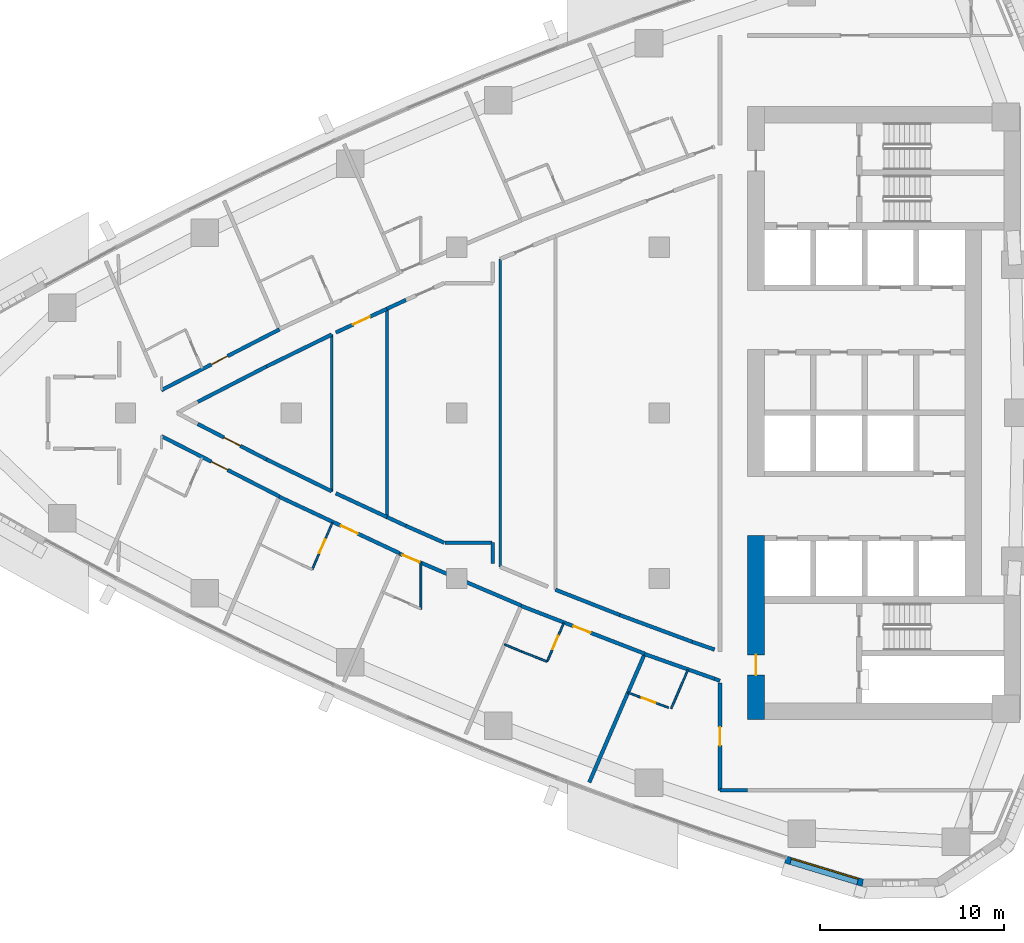
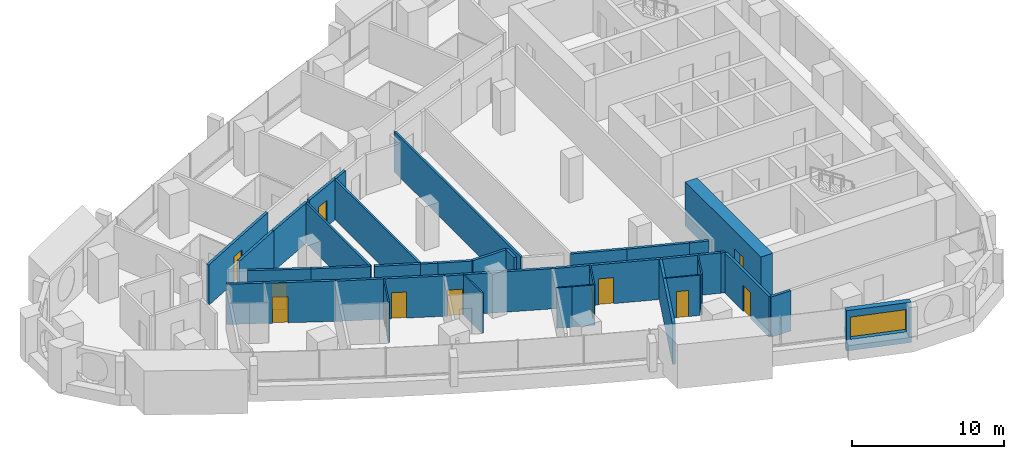
# One storey, part 9 of 17: 36 walls, 12 doors, 1 window, 13 openings.
"""IFC4 building model written with IfcOpenShell, lengths in metres."""

from ifc_helpers import new_model, si_unit, direction, frame, frame_2d, origin, place, context, subcontext, project, spatial, polyline, rectangle, outline, extrude, material, layer, layer_set, type_object, element, fill, save


model = new_model("IFC4")

# Units and contexts
model_context = context("Model", 3, precision=1e-05, world=origin(), true_north=direction((0.0, 1.0)))
body_context = subcontext(model_context, "Body", "Model", "MODEL_VIEW")
ifc_project = project(units=[si_unit("LENGTHUNIT", "METRE"), si_unit("AREAUNIT", "SQUARE_METRE"), si_unit("VOLUMEUNIT", "CUBIC_METRE"), si_unit("PLANEANGLEUNIT", "RADIAN"), si_unit("MASSUNIT", "GRAM", prefix="KILO")], contexts=[model_context])

# Site, building, storey
site_placement = place(None, origin())
site = spatial("IfcSite", under=ifc_project, at=site_placement, CompositionType="ELEMENT")
building_placement = place(site_placement, origin())
building = spatial("IfcBuilding", under=site, at=building_placement, Name="Ostrand Prow Hotel Tower", CompositionType="ELEMENT")
storey_placement = place(building_placement, frame((0.0, 0.0, 144.39990234375)))
storey = spatial("IfcBuildingStorey", under=building, at=storey_placement, Name="L35", CompositionType="ELEMENT", Elevation=144.39990234375)

# Wall, opening, door
ifc_material_1 = material(Name="Concrete C70/85", Category="concrete")
ifc_layer_1 = layer(ifc_material_1, 0.89990234375)
ifc_layer_set_1 = layer_set([ifc_layer_1], Name="Concrete C70/85")
wall_type_1 = type_object("IfcWallType", Name="Core wall 900 C70/85", PredefinedType="SHEAR", material=ifc_layer_set_1)
wall_1_placement = place(storey_placement, frame((50.25, -16.64990234375, 0.0), z_axis=(0.0, 0.0, 1.0), x_axis=(0.0, 1.0, 0.0)))
wall_1 = element("IfcWall", 1, at=wall_1_placement, inside=storey, type_object=wall_type_1, Name="Core wall CW-W-S", PredefinedType="SHEAR", context=body_context, shape_type="SweptSolid", body=[
    extrude(rectangle(XDim=10.0, YDim=0.89990234375, at=frame_2d((5.0, 0.0))), origin(), (0.0, 0.0, 1.0), 3.550048828125),
])
opening_1_placement = place(wall_1_placement, frame((2.39990234375, 0.0, 0.0)))
opening_1 = element("IfcOpeningElement", 2, at=opening_1_placement, cuts=wall_1, Name="Opening FD1", PredefinedType="OPENING", context=body_context, shape_type="SweptSolid", body=[
    extrude(rectangle(XDim=1.10009765625, YDim=2.10009765625, at=frame_2d((0.550048828125, 1.050048828125))), frame((0.0, 0.4599609375, 0.0), z_axis=(0.0, -1.0, 0.0), x_axis=(1.0, 0.0, 0.0)), (0.0, 0.0, 1.0), 0.919921875),
])
ifc_material_2 = material(Name="Steel fire door", Category="steel")
door_type_1 = type_object("IfcDoorType", Name="Fire door 1100 EI120", OperationType="SINGLE_SWING_RIGHT", PredefinedType="DOOR", material=ifc_material_2)
door_1_placement = place(opening_1_placement, origin())
door_1 = element("IfcDoor", 3, at=door_1_placement, inside=storey, type_object=door_type_1, Name="FIRE DOOR", OperationType="SINGLE_SWING_RIGHT", OverallHeight=2.10009765625, OverallWidth=1.10009765625, PredefinedType="DOOR", context=body_context, shape_type="SweptSolid", body=[
    extrude(rectangle(XDim=1.10009765625, YDim=2.10009765625, at=frame_2d((0.550048828125, 1.050048828125))), frame((0.0, 0.02490234375, 0.0), z_axis=(0.0, -1.0, 0.0), x_axis=(1.0, 0.0, 0.0)), (0.0, 0.0, 1.0), 0.050048828125),
])
fill(opening_1, door_1)

ifc_material_3 = material(Name="Plasterboard partition")
ifc_layer_2 = layer(ifc_material_3, 0.10009765625)
ifc_layer_set_2 = layer_set([ifc_layer_2], Name="Plasterboard partition")
wall_type_2 = type_object("IfcWallType", Name="Partition 100 bathroom wall", PredefinedType="PARTITIONING", material=ifc_layer_set_2)
wall_2_placement = place(storey_placement, frame((27.239990234375, -5.959228515625, 0.0), z_axis=(0.0, 0.0, 1.0), x_axis=(-0.396018464604, -0.918242547311, 0.0)))
wall_2 = element("IfcWall", 4, at=wall_2_placement, inside=storey, type_object=wall_type_2, Name="BATHROOM WALL", PredefinedType="PARTITIONING", context=body_context, shape_type="SweptSolid", body=[
    extrude(rectangle(XDim=2.77783203125, YDim=0.10009765625, at=frame_2d((1.388916015625, 0.0))), origin(), (0.0, 0.0, 1.0), 3.25),
])
opening_2_placement = place(wall_2_placement, frame((1.0, 0.0, 0.0)))
opening_2 = element("IfcOpeningElement", 5, at=opening_2_placement, cuts=wall_2, Name="Opening D2", PredefinedType="OPENING", context=body_context, shape_type="SweptSolid", body=[
    extrude(rectangle(XDim=0.800048828125, YDim=2.10009765625, at=frame_2d((0.39990234375, 1.050048828125))), frame((0.0, 0.06005859375, 0.0), z_axis=(0.0, -1.0, 0.0), x_axis=(1.0, 0.0, 0.0)), (0.0, 0.0, 1.0), 0.1201171875),
])
ifc_material_4 = material(Name="Timber door leaf", Category="wood")
door_type_2 = type_object("IfcDoorType", Name="Bathroom door 800", OperationType="SINGLE_SWING_LEFT", PredefinedType="DOOR", material=ifc_material_4)
door_2_placement = place(opening_2_placement, origin())
door_2 = element("IfcDoor", 6, at=door_2_placement, inside=storey, type_object=door_type_2, Name="DOOR", OperationType="SINGLE_SWING_LEFT", OverallHeight=2.10009765625, OverallWidth=0.800048828125, PredefinedType="DOOR", context=body_context, shape_type="SweptSolid", body=[
    extrude(rectangle(XDim=0.800048828125, YDim=2.10009765625, at=frame_2d((0.39990234375, 1.050048828125))), frame((0.0, 0.02490234375, 0.0), z_axis=(0.0, -1.0, 0.0), x_axis=(1.0, 0.0, 0.0)), (0.0, 0.0, 1.0), 0.050048828125),
])
fill(opening_2, door_2)

wall_3_placement = place(storey_placement, frame((39.805908203125, -11.4169921875, 0.0), z_axis=(0.0, 0.0, 1.0), x_axis=(-0.396000751487, -0.918250186399, 0.0)))
wall_3 = element("IfcWall", 7, at=wall_3_placement, inside=storey, type_object=wall_type_2, Name="BATHROOM WALL", PredefinedType="PARTITIONING", context=body_context, shape_type="SweptSolid", body=[
    extrude(rectangle(XDim=2.278076171875, YDim=0.10009765625, at=frame_2d((1.13916015625, 0.0))), origin(), (0.0, 0.0, 1.0), 3.25),
])
opening_3_placement = place(wall_3_placement, frame((0.75, 0.0, 0.0)))
opening_3 = element("IfcOpeningElement", 8, at=opening_3_placement, cuts=wall_3, Name="Opening D2", PredefinedType="OPENING", context=body_context, shape_type="SweptSolid", body=[
    extrude(rectangle(XDim=0.800048828125, YDim=2.10009765625, at=frame_2d((0.39990234375, 1.050048828125))), frame((0.0, 0.06005859375, 0.0), z_axis=(0.0, -1.0, 0.0), x_axis=(1.0, 0.0, 0.0)), (0.0, 0.0, 1.0), 0.1201171875),
])
door_3_placement = place(opening_3_placement, origin())
door_3 = element("IfcDoor", 9, at=door_3_placement, inside=storey, type_object=door_type_2, Name="DOOR", OperationType="SINGLE_SWING_LEFT", OverallHeight=2.10009765625, OverallWidth=0.800048828125, PredefinedType="DOOR", context=body_context, shape_type="SweptSolid", body=[
    extrude(rectangle(XDim=0.800048828125, YDim=2.10009765625, at=frame_2d((0.39990234375, 1.050048828125))), frame((0.0, 0.02490234375, 0.0), z_axis=(0.0, -1.0, 0.0), x_axis=(1.0, 0.0, 0.0)), (0.0, 0.0, 1.0), 0.050048828125),
])
fill(opening_3, door_3)

# Walls
wall_4_placement = place(storey_placement, frame((38.90380859375, -13.5087890625, 0.0), z_axis=(0.0, 0.0, 1.0), x_axis=(-0.930584239012, 0.366077825199, 0.0)))
element("IfcWall", 10, at=wall_4_placement, inside=storey, type_object=wall_type_2, Name="BATHROOM WALL", PredefinedType="PARTITIONING", context=body_context, shape_type="SweptSolid", body=[
    extrude(rectangle(XDim=1.4912109375, YDim=0.10009765625, at=frame_2d((0.74560546875, 0.0))), origin(), (0.0, 0.0, 1.0), 3.25),
])
wall_5_placement = place(storey_placement, frame((37.51611328125, -12.962890625, 0.0), z_axis=(0.0, 0.0, 1.0), x_axis=(-0.923026834192, 0.384735575897, 0.0)))
element("IfcWall", 11, at=wall_5_placement, inside=storey, type_object=wall_type_2, Name="BATHROOM WALL", PredefinedType="PARTITIONING", context=body_context, shape_type="SweptSolid", body=[
    extrude(rectangle(XDim=1.009521484375, YDim=0.10009765625, at=frame_2d((0.5048828125, 0.0))), origin(), (0.0, 0.0, 1.0), 3.25),
])
wall_6_placement = place(storey_placement, frame((46.5478515625, -13.965087890625, 0.0), z_axis=(0.0, 0.0, 1.0), x_axis=(-0.395944391694, -0.918274489837, 0.0)))
element("IfcWall", 12, at=wall_6_placement, inside=storey, type_object=wall_type_2, Name="BATHROOM WALL", PredefinedType="PARTITIONING", context=body_context, shape_type="SweptSolid", body=[
    extrude(rectangle(XDim=2.283203125, YDim=0.10009765625, at=frame_2d((1.1416015625, 0.0))), origin(), (0.0, 0.0, 1.0), 3.25),
])

# Wall, opening, door
wall_7_placement = place(storey_placement, frame((45.497314453125, -16.0107421875, 0.0), z_axis=(0.0, 0.0, 1.0), x_axis=(-0.937739981943, 0.347338057613, 0.0)))
wall_7 = element("IfcWall", 13, at=wall_7_placement, inside=storey, type_object=wall_type_2, Name="BATHROOM WALL", PredefinedType="PARTITIONING", context=body_context, shape_type="SweptSolid", body=[
    extrude(rectangle(XDim=2.348388671875, YDim=0.10009765625, at=frame_2d((1.17431640625, 0.0))), origin(), (0.0, 0.0, 1.0), 3.25),
])
opening_4_placement = place(wall_7_placement, frame((0.75, 0.0, 0.0)))
opening_4 = element("IfcOpeningElement", 14, at=opening_4_placement, cuts=wall_7, Name="Opening D2", PredefinedType="OPENING", context=body_context, shape_type="SweptSolid", body=[
    extrude(rectangle(XDim=0.800048828125, YDim=2.10009765625, at=frame_2d((0.39990234375, 1.050048828125))), frame((0.0, 0.06005859375, 0.0), z_axis=(0.0, -1.0, 0.0), x_axis=(1.0, 0.0, 0.0)), (0.0, 0.0, 1.0), 0.1201171875),
])
door_4_placement = place(opening_4_placement, origin())
door_4 = element("IfcDoor", 15, at=door_4_placement, inside=storey, type_object=door_type_2, Name="DOOR", OperationType="SINGLE_SWING_LEFT", OverallHeight=2.10009765625, OverallWidth=0.800048828125, PredefinedType="DOOR", context=body_context, shape_type="SweptSolid", body=[
    extrude(rectangle(XDim=0.800048828125, YDim=2.10009765625, at=frame_2d((0.39990234375, 1.050048828125))), frame((0.0, 0.02490234375, 0.0), z_axis=(0.0, -1.0, 0.0), x_axis=(1.0, 0.0, 0.0)), (0.0, 0.0, 1.0), 0.050048828125),
])
fill(opening_4, door_4)

# Walls
wall_8_placement = place(storey_placement, frame((32.044921875, -8.13818359375, 0.0), z_axis=(0.0, 0.0, 1.0), x_axis=(0.0, -1.0, 0.0)))
element("IfcWall", 16, at=wall_8_placement, inside=storey, type_object=wall_type_2, Name="BATHROOM WALL", PredefinedType="PARTITIONING", context=body_context, shape_type="SweptSolid", body=[
    extrude(rectangle(XDim=2.52294921875, YDim=0.10009765625, at=frame_2d((1.261474609375, 0.0))), origin(), (0.0, 0.0, 1.0), 3.25),
])
ifc_material_5 = material(Name="Plasterboard partition")
ifc_layer_3 = layer(ifc_material_5, 0.14990234375)
ifc_layer_set_3 = layer_set([ifc_layer_3], Name="Plasterboard partition")
wall_type_3 = type_object("IfcWallType", Name="Partition 150 room partition", PredefinedType="PARTITIONING", material=ifc_layer_set_3)
wall_9_placement = place(storey_placement, frame((27.201904296875, -4.256591796875, 0.0), z_axis=(0.0, 0.0, 1.0), x_axis=(0.0, 1.0, 0.0)))
element("IfcWall", 17, at=wall_9_placement, inside=storey, type_object=wall_type_3, Name="ROOM PARTITION", PredefinedType="PARTITIONING", context=body_context, shape_type="SweptSolid", body=[
    extrude(rectangle(XDim=8.51318359375, YDim=0.14990234375, at=frame_2d((4.256591796875, 0.0))), origin(), (0.0, 0.0, 1.0), 3.25),
])
wall_10_placement = place(storey_placement, frame((30.201904296875, -5.656494140625, 0.0), z_axis=(0.0, 0.0, 1.0), x_axis=(0.0, 1.0, 0.0)))
element("IfcWall", 18, at=wall_10_placement, inside=storey, type_object=wall_type_3, Name="ROOM PARTITION", PredefinedType="PARTITIONING", context=body_context, shape_type="SweptSolid", body=[
    extrude(rectangle(XDim=11.31298828125, YDim=0.14990234375, at=frame_2d((5.656494140625, 0.0))), origin(), (0.0, 0.0, 1.0), 3.25),
])
wall_11_placement = place(storey_placement, frame((36.35302734375, -8.361083984375, 0.0), z_axis=(0.0, 0.0, 1.0), x_axis=(0.0, 1.0, 0.0)))
element("IfcWall", 19, at=wall_11_placement, inside=storey, type_object=wall_type_3, Name="ROOM PARTITION", PredefinedType="PARTITIONING", context=body_context, shape_type="SweptSolid", body=[
    extrude(rectangle(XDim=16.72216796875, YDim=0.14990234375, at=frame_2d((8.361083984375, 0.0))), origin(), (0.0, 0.0, 1.0), 3.25),
])

# Wall, opening, door
ifc_material_6 = material(Name="Plasterboard partition")
ifc_layer_4 = layer(ifc_material_6, 0.199951171875)
ifc_layer_set_4 = layer_set([ifc_layer_4], Name="Plasterboard partition")
wall_type_4 = type_object("IfcWallType", Name="Partition 200 corridor wall", PredefinedType="PARTITIONING", material=ifc_layer_set_4)
wall_12_placement = place(storey_placement, frame((17.949951171875, 1.238037109375, 0.0), z_axis=(0.0, 0.0, 1.0), x_axis=(0.889253598622, 0.457414513694, 0.0)))
wall_12 = element("IfcWall", 20, at=wall_12_placement, inside=storey, type_object=wall_type_4, Name="CORRIDOR WALL", PredefinedType="PARTITIONING", context=body_context, shape_type="SweptSolid", body=[
    extrude(rectangle(XDim=7.216796875, YDim=0.199951171875, at=frame_2d((3.6083984375, 0.0))), origin(), (0.0, 0.0, 1.0), 3.25),
])
opening_5_placement = place(wall_12_placement, frame((3.050048828125, 0.0, 0.0)))
opening_5 = element("IfcOpeningElement", 21, at=opening_5_placement, cuts=wall_12, Name="Opening D1", PredefinedType="OPENING", context=body_context, shape_type="SweptSolid", body=[
    extrude(rectangle(XDim=1.0, YDim=2.10009765625, at=frame_2d((0.5, 1.050048828125))), frame((0.0, 0.10986328125, 0.0), z_axis=(0.0, -1.0, 0.0), x_axis=(1.0, 0.0, 0.0)), (0.0, 0.0, 1.0), 0.219970703125),
])
ifc_material_7 = material(Name="Timber door leaf", Category="wood")
door_type_3 = type_object("IfcDoorType", Name="Guest room door 1000", OperationType="SINGLE_SWING_LEFT", PredefinedType="DOOR", material=ifc_material_7)
door_5_placement = place(opening_5_placement, origin())
door_5 = element("IfcDoor", 22, at=door_5_placement, inside=storey, type_object=door_type_3, Name="DOOR", OperationType="SINGLE_SWING_LEFT", OverallHeight=2.10009765625, OverallWidth=1.0, PredefinedType="DOOR", context=body_context, shape_type="SweptSolid", body=[
    extrude(rectangle(XDim=1.0, YDim=2.10009765625, at=frame_2d((0.5, 1.050048828125))), frame((0.0, 0.02490234375, 0.0), z_axis=(0.0, -1.0, 0.0), x_axis=(1.0, 0.0, 0.0)), (0.0, 0.0, 1.0), 0.050048828125),
])
fill(opening_5, door_5)

wall_13_placement = place(storey_placement, frame((17.949951171875, -1.2607421875, 0.0), z_axis=(0.0, 0.0, 1.0), x_axis=(0.890531681441, -0.45492122873, 0.0)))
wall_13 = element("IfcWall", 23, at=wall_13_placement, inside=storey, type_object=wall_type_4, Name="CORRIDOR WALL", PredefinedType="PARTITIONING", context=body_context, shape_type="SweptSolid", body=[
    extrude(rectangle(XDim=7.206298828125, YDim=0.199951171875, at=frame_2d((3.60302734375, 0.0))), origin(), (0.0, 0.0, 1.0), 3.25),
])
opening_6_placement = place(wall_13_placement, frame((3.050048828125, 0.0, 0.0)))
opening_6 = element("IfcOpeningElement", 24, at=opening_6_placement, cuts=wall_13, Name="Opening D1", PredefinedType="OPENING", context=body_context, shape_type="SweptSolid", body=[
    extrude(rectangle(XDim=1.0, YDim=2.10009765625, at=frame_2d((0.5, 1.050048828125))), frame((0.0, 0.10986328125, 0.0), z_axis=(0.0, -1.0, 0.0), x_axis=(1.0, 0.0, 0.0)), (0.0, 0.0, 1.0), 0.219970703125),
])
door_6_placement = place(opening_6_placement, origin())
door_6 = element("IfcDoor", 25, at=door_6_placement, inside=storey, type_object=door_type_3, Name="DOOR", OperationType="SINGLE_SWING_LEFT", OverallHeight=2.10009765625, OverallWidth=1.0, PredefinedType="DOOR", context=body_context, shape_type="SweptSolid", body=[
    extrude(rectangle(XDim=1.0, YDim=2.10009765625, at=frame_2d((0.5, 1.050048828125))), frame((0.0, 0.02490234375, 0.0), z_axis=(0.0, -1.0, 0.0), x_axis=(1.0, 0.0, 0.0)), (0.0, 0.0, 1.0), 0.050048828125),
])
fill(opening_6, door_6)

wall_14_placement = place(storey_placement, frame((24.359619140625, -4.557373046875, 0.0), z_axis=(0.0, 0.0, 1.0), x_axis=(0.905157912263, -0.425075468439, 0.0)))
wall_14 = element("IfcWall", 26, at=wall_14_placement, inside=storey, type_object=wall_type_4, Name="CORRIDOR WALL", PredefinedType="PARTITIONING", context=body_context, shape_type="SweptSolid", body=[
    extrude(rectangle(XDim=7.203369140625, YDim=0.199951171875, at=frame_2d((3.6015625, 0.0))), origin(), (0.0, 0.0, 1.0), 3.25),
])
opening_7_placement = place(wall_14_placement, frame((3.699951171875, 0.0, 0.0)))
opening_7 = element("IfcOpeningElement", 27, at=opening_7_placement, cuts=wall_14, Name="Opening D1", PredefinedType="OPENING", context=body_context, shape_type="SweptSolid", body=[
    extrude(rectangle(XDim=1.0, YDim=2.10009765625, at=frame_2d((0.5, 1.050048828125))), frame((0.0, 0.10986328125, 0.0), z_axis=(0.0, -1.0, 0.0), x_axis=(1.0, 0.0, 0.0)), (0.0, 0.0, 1.0), 0.219970703125),
])
door_7_placement = place(opening_7_placement, origin())
door_7 = element("IfcDoor", 28, at=door_7_placement, inside=storey, type_object=door_type_3, Name="DOOR", OperationType="SINGLE_SWING_LEFT", OverallHeight=2.10009765625, OverallWidth=1.0, PredefinedType="DOOR", context=body_context, shape_type="SweptSolid", body=[
    extrude(rectangle(XDim=1.0, YDim=2.10009765625, at=frame_2d((0.5, 1.050048828125))), frame((0.0, 0.02490234375, 0.0), z_axis=(0.0, -1.0, 0.0), x_axis=(1.0, 0.0, 0.0)), (0.0, 0.0, 1.0), 0.050048828125),
])
fill(opening_7, door_7)

wall_15_placement = place(storey_placement, frame((30.8720703125, -7.6376953125, 0.0), z_axis=(0.0, 0.0, 1.0), x_axis=(0.919834621271, -0.392306346509, 0.0)))
wall_15 = element("IfcWall", 29, at=wall_15_placement, inside=storey, type_object=wall_type_4, Name="CORRIDOR WALL", PredefinedType="PARTITIONING", context=body_context, shape_type="SweptSolid", body=[
    extrude(rectangle(XDim=7.2001953125, YDim=0.199951171875, at=frame_2d((3.60009765625, 0.0))), origin(), (0.0, 0.0, 1.0), 3.25),
])
opening_8_placement = place(wall_15_placement, frame((0.199951171875, 0.0, 0.0)))
opening_8 = element("IfcOpeningElement", 30, at=opening_8_placement, cuts=wall_15, Name="Opening D1", PredefinedType="OPENING", context=body_context, shape_type="SweptSolid", body=[
    extrude(rectangle(XDim=1.0, YDim=2.10009765625, at=frame_2d((0.5, 1.050048828125))), frame((0.0, 0.10986328125, 0.0), z_axis=(0.0, -1.0, 0.0), x_axis=(1.0, 0.0, 0.0)), (0.0, 0.0, 1.0), 0.219970703125),
])
door_8_placement = place(opening_8_placement, origin())
door_8 = element("IfcDoor", 31, at=door_8_placement, inside=storey, type_object=door_type_3, Name="DOOR", OperationType="SINGLE_SWING_LEFT", OverallHeight=2.10009765625, OverallWidth=1.0, PredefinedType="DOOR", context=body_context, shape_type="SweptSolid", body=[
    extrude(rectangle(XDim=1.0, YDim=2.10009765625, at=frame_2d((0.5, 1.050048828125))), frame((0.0, 0.02490234375, 0.0), z_axis=(0.0, -1.0, 0.0), x_axis=(1.0, 0.0, 0.0)), (0.0, 0.0, 1.0), 0.050048828125),
])
fill(opening_8, door_8)

wall_16_placement = place(storey_placement, frame((37.487060546875, -10.480712890625, 0.0), z_axis=(0.0, 0.0, 1.0), x_axis=(0.932657486666, -0.360763097567, 0.0)))
wall_16 = element("IfcWall", 32, at=wall_16_placement, inside=storey, type_object=wall_type_4, Name="CORRIDOR WALL", PredefinedType="PARTITIONING", context=body_context, shape_type="SweptSolid", body=[
    extrude(rectangle(XDim=7.205078125, YDim=0.199951171875, at=frame_2d((3.6025390625, 0.0))), origin(), (0.0, 0.0, 1.0), 3.25),
])
opening_9_placement = place(wall_16_placement, frame((3.050048828125, 0.0, 0.0)))
opening_9 = element("IfcOpeningElement", 33, at=opening_9_placement, cuts=wall_16, Name="Opening D1", PredefinedType="OPENING", context=body_context, shape_type="SweptSolid", body=[
    extrude(rectangle(XDim=1.0, YDim=2.10009765625, at=frame_2d((0.5, 1.050048828125))), frame((0.0, 0.10986328125, 0.0), z_axis=(0.0, -1.0, 0.0), x_axis=(1.0, 0.0, 0.0)), (0.0, 0.0, 1.0), 0.219970703125),
])
door_9_placement = place(opening_9_placement, origin())
door_9 = element("IfcDoor", 34, at=door_9_placement, inside=storey, type_object=door_type_3, Name="DOOR", OperationType="SINGLE_SWING_LEFT", OverallHeight=2.10009765625, OverallWidth=1.0, PredefinedType="DOOR", context=body_context, shape_type="SweptSolid", body=[
    extrude(rectangle(XDim=1.0, YDim=2.10009765625, at=frame_2d((0.5, 1.050048828125))), frame((0.0, 0.02490234375, 0.0), z_axis=(0.0, -1.0, 0.0), x_axis=(1.0, 0.0, 0.0)), (0.0, 0.0, 1.0), 0.050048828125),
])
fill(opening_9, door_9)

wall_17_placement = place(storey_placement, frame((23.65869140625, -2.52197265625, 0.0), z_axis=(0.0, 0.0, 1.0), x_axis=(-0.889140337289, 0.457634636589, 0.0)))
wall_17 = element("IfcWall", 35, at=wall_17_placement, inside=storey, type_object=wall_type_4, Name="CORRIDOR WALL", PredefinedType="PARTITIONING", context=body_context, shape_type="SweptSolid", body=[
    extrude(rectangle(XDim=4.1953125, YDim=0.199951171875, at=frame_2d((2.09765625, 0.0))), origin(), (0.0, 0.0, 1.0), 3.25),
])
opening_10_placement = place(wall_17_placement, frame((1.59765625, 0.0, 0.0)))
opening_10 = element("IfcOpeningElement", 36, at=opening_10_placement, cuts=wall_17, Name="Opening D1", PredefinedType="OPENING", context=body_context, shape_type="SweptSolid", body=[
    extrude(rectangle(XDim=1.0, YDim=2.10009765625, at=frame_2d((0.5, 1.050048828125))), frame((0.0, 0.10986328125, 0.0), z_axis=(0.0, -1.0, 0.0), x_axis=(1.0, 0.0, 0.0)), (0.0, 0.0, 1.0), 0.219970703125),
])
door_10_placement = place(opening_10_placement, origin())
door_10 = element("IfcDoor", 37, at=door_10_placement, inside=storey, type_object=door_type_3, Name="DOOR", OperationType="SINGLE_SWING_LEFT", OverallHeight=2.10009765625, OverallWidth=1.0, PredefinedType="DOOR", context=body_context, shape_type="SweptSolid", body=[
    extrude(rectangle(XDim=1.0, YDim=2.10009765625, at=frame_2d((0.5, 1.050048828125))), frame((0.0, 0.02490234375, 0.0), z_axis=(0.0, -1.0, 0.0), x_axis=(1.0, 0.0, 0.0)), (0.0, 0.0, 1.0), 0.050048828125),
])
fill(opening_10, door_10)

# Walls
wall_18_placement = place(storey_placement, frame((19.928466796875, 0.60205078125, 0.0), z_axis=(0.0, 0.0, 1.0), x_axis=(0.889140337289, 0.457634636589, 0.0)))
element("IfcWall", 38, at=wall_18_placement, inside=storey, type_object=wall_type_4, Name="CORRIDOR WALL", PredefinedType="PARTITIONING", context=body_context, shape_type="SweptSolid", body=[
    extrude(rectangle(XDim=4.1953125, YDim=0.199951171875, at=frame_2d((2.09765625, 0.0))), origin(), (0.0, 0.0, 1.0), 3.25),
])
for number, where, z_axis, x_axis, name in (
    (39, (23.65869140625, 2.52197265625, 0.0), (0.0, 0.0, 1.0), (0.898146009837, 0.439697333418, 0.0), "CORRIDOR WALL"),
    (40, (27.201904296875, -4.256591796875, 0.0), (0.0, 0.0, 1.0), (-0.898146009837, 0.439697333418, 0.0), "CORRIDOR WALL"),
):
    element("IfcWall", number, at=place(storey_placement, frame(where, z_axis=z_axis, x_axis=x_axis)), inside=storey, type_object=wall_type_4, Name=name, PredefinedType="PARTITIONING", context=body_context, shape_type="SweptSolid", body=[
        extrude(rectangle(XDim=3.945068359375, YDim=0.199951171875, at=frame_2d((1.97265625, 0.0))), origin(), (0.0, 0.0, 1.0), 3.25),
    ])

# Wall, opening, door
wall_19_placement = place(storey_placement, frame((27.4267578125, 4.36669921875, 0.0), z_axis=(0.0, 0.0, 1.0), x_axis=(0.906842391635, 0.42146990015, 0.0)))
wall_19 = element("IfcWall", 41, at=wall_19_placement, inside=storey, type_object=wall_type_4, Name="CORRIDOR WALL", PredefinedType="PARTITIONING", context=body_context, shape_type="SweptSolid", body=[
    extrude(rectangle(XDim=3.060302734375, YDim=0.199951171875, at=frame_2d((1.5302734375, 0.0))), origin(), (0.0, 0.0, 1.0), 3.25),
])
opening_11_placement = place(wall_19_placement, frame((1.030029296875, 0.0, 0.0)))
opening_11 = element("IfcOpeningElement", 42, at=opening_11_placement, cuts=wall_19, Name="Opening D1R", PredefinedType="OPENING", context=body_context, shape_type="SweptSolid", body=[
    extrude(rectangle(XDim=1.0, YDim=2.10009765625, at=frame_2d((0.5, 1.050048828125))), frame((0.0, 0.10986328125, 0.0), z_axis=(0.0, -1.0, 0.0), x_axis=(1.0, 0.0, 0.0)), (0.0, 0.0, 1.0), 0.219970703125),
])
ifc_material_8 = material(Name="Timber door leaf", Category="wood")
door_type_4 = type_object("IfcDoorType", Name="Guest room door 1000 right", OperationType="SINGLE_SWING_RIGHT", PredefinedType="DOOR", material=ifc_material_8)
door_11_placement = place(opening_11_placement, origin())
door_11 = element("IfcDoor", 43, at=door_11_placement, inside=storey, type_object=door_type_4, Name="DOOR", OperationType="SINGLE_SWING_RIGHT", OverallHeight=2.10009765625, OverallWidth=1.0, PredefinedType="DOOR", context=body_context, shape_type="SweptSolid", body=[
    extrude(rectangle(XDim=1.0, YDim=2.10009765625, at=frame_2d((0.5, 1.050048828125))), frame((0.0, 0.02490234375, 0.0), z_axis=(0.0, -1.0, 0.0), x_axis=(1.0, 0.0, 0.0)), (0.0, 0.0, 1.0), 0.050048828125),
])
fill(opening_11, door_11)

# Walls
wall_20_placement = place(storey_placement, frame((30.201904296875, -5.656494140625, 0.0), z_axis=(0.0, 0.0, 1.0), x_axis=(-0.906842391635, 0.42146990015, 0.0)))
element("IfcWall", 44, at=wall_20_placement, inside=storey, type_object=wall_type_4, Name="CORRIDOR WALL", PredefinedType="PARTITIONING", context=body_context, shape_type="SweptSolid", body=[
    extrude(rectangle(XDim=3.060302734375, YDim=0.199951171875, at=frame_2d((1.5302734375, 0.0))), origin(), (0.0, 0.0, 1.0), 3.25),
])
wall_21_placement = place(storey_placement, frame((33.307861328125, -7.050048828125, 0.0), z_axis=(0.0, 0.0, 1.0), x_axis=(-0.915102334452, 0.403221672881, 0.0)))
element("IfcWall", 45, at=wall_21_placement, inside=storey, type_object=wall_type_4, Name="CORRIDOR WALL", PredefinedType="PARTITIONING", context=body_context, shape_type="SweptSolid", body=[
    extrude(rectangle(XDim=2.269287109375, YDim=0.199951171875, at=frame_2d((1.134765625, 0.0))), origin(), (0.0, 0.0, 1.0), 3.25),
])
for number, where, z_axis, x_axis, name in (
    (46, (31.231201171875, -6.135009765625, 0.0), (0.0, 0.0, 1.0), (-0.906797605575, 0.421566249271, 0.0), "CORRIDOR WALL"),
    (47, (30.201904296875, 5.656494140625, 0.0), (0.0, 0.0, 1.0), (0.906797605575, 0.421566249271, 0.0), "CORRIDOR WALL"),
):
    element("IfcWall", number, at=place(storey_placement, frame(where, z_axis=z_axis, x_axis=x_axis)), inside=storey, type_object=wall_type_4, Name=name, PredefinedType="PARTITIONING", context=body_context, shape_type="SweptSolid", body=[
        extrude(rectangle(XDim=1.135009765625, YDim=0.199951171875, at=frame_2d((0.5673828125, 0.0))), origin(), (0.0, 0.0, 1.0), 3.25),
    ])
wall_22_placement = place(storey_placement, frame((46.78125, -12.43408203125, 0.0), z_axis=(0.0, 0.0, 1.0), x_axis=(-0.937732614305, 0.347357948044, 0.0)))
element("IfcWall", 48, at=wall_22_placement, inside=storey, type_object=wall_type_4, Name="CORRIDOR WALL", PredefinedType="PARTITIONING", context=body_context, shape_type="SweptSolid", body=[
    extrude(rectangle(XDim=4.1953125, YDim=0.199951171875, at=frame_2d((2.09765625, 0.0))), origin(), (0.0, 0.0, 1.0), 3.25),
])
wall_23_placement = place(storey_placement, frame((42.84716796875, -10.976806640625, 0.0), z_axis=(0.0, 0.0, 1.0), x_axis=(-0.930564862228, 0.366127077921, 0.0)))
element("IfcWall", 49, at=wall_23_placement, inside=storey, type_object=wall_type_4, Name="CORRIDOR WALL", PredefinedType="PARTITIONING", context=body_context, shape_type="SweptSolid", body=[
    extrude(rectangle(XDim=3.7548828125, YDim=0.199951171875, at=frame_2d((1.87744140625, 0.0))), origin(), (0.0, 0.0, 1.0), 3.25),
])
wall_24_placement = place(storey_placement, frame((44.19921875, -13.098388671875, 0.0), z_axis=(0.0, 0.0, 1.0), x_axis=(0.942658979264, -0.333757470048, 0.0)))
element("IfcWall", 50, at=wall_24_placement, inside=storey, type_object=wall_type_4, Name="CORRIDOR WALL", PredefinedType="PARTITIONING", context=body_context, shape_type="SweptSolid", body=[
    extrude(rectangle(XDim=4.031982421875, YDim=0.199951171875, at=frame_2d((2.01611328125, 0.0))), origin(), (0.0, 0.0, 1.0), 3.25),
])
wall_25_placement = place(storey_placement, frame((48.0, -12.85791015625, 0.0), z_axis=(0.0, 0.0, 1.0), x_axis=(-0.944517215109, 0.328461916152, 0.0)))
element("IfcWall", 51, at=wall_25_placement, inside=storey, type_object=wall_type_4, Name="CORRIDOR WALL", PredefinedType="PARTITIONING", context=body_context, shape_type="SweptSolid", body=[
    extrude(rectangle(XDim=1.290283203125, YDim=0.199951171875, at=frame_2d((0.64501953125, 0.0))), origin(), (0.0, 0.0, 1.0), 3.25),
])
wall_26_placement = place(storey_placement, frame((35.955078125, -8.18994140625, 0.0), z_axis=(0.0, 0.0, 1.0), x_axis=(-0.002773026881, 0.999996155154, 0.0)))
element("IfcWall", 52, at=wall_26_placement, inside=storey, type_object=wall_type_4, Name="CORRIDOR WALL", PredefinedType="PARTITIONING", context=body_context, shape_type="SweptSolid", body=[
    extrude(rectangle(XDim=1.14453125, YDim=0.199951171875, at=frame_2d((0.572265625, 0.0))), origin(), (0.0, 0.0, 1.0), 3.25),
])
wall_27_placement = place(storey_placement, frame((35.911865234375, -7.04541015625, 0.0), z_axis=(0.0, 0.0, 1.0), x_axis=(-0.999999981873, 0.000190403652, 0.0)))
element("IfcWall", 53, at=wall_27_placement, inside=storey, type_object=wall_type_4, Name="CORRIDOR WALL", PredefinedType="PARTITIONING", context=body_context, shape_type="SweptSolid", body=[
    extrude(rectangle(XDim=2.564453125, YDim=0.199951171875, at=frame_2d((1.2822265625, 0.0))), origin(), (0.0, 0.0, 1.0), 3.25),
])
wall_28_placement = place(storey_placement, frame((48.0, -14.444091796875, 0.0), z_axis=(0.0, 0.0, 1.0), x_axis=(0.937345648791, -0.348400824758, 0.0)))
element("IfcWall", 54, at=wall_28_placement, inside=storey, type_object=wall_type_4, Name="CORRIDOR WALL", PredefinedType="PARTITIONING", context=body_context, shape_type="SweptSolid", body=[
    extrude(rectangle(XDim=0.314697265625, YDim=0.199951171875, at=frame_2d((0.1572265625, 0.0))), origin(), (0.0, 0.0, 1.0), 3.25),
])

# Wall, opening, door
wall_29_placement = place(storey_placement, frame((48.294921875, -14.673583984375, 0.0), z_axis=(0.0, 0.0, 1.0), x_axis=(4.1895345e-05, -0.999999999122, 0.0)))
wall_29 = element("IfcWall", 55, at=wall_29_placement, inside=storey, type_object=wall_type_4, Name="CORRIDOR WALL", PredefinedType="PARTITIONING", context=body_context, shape_type="SweptSolid", body=[
    extrude(rectangle(XDim=5.827392578125, YDim=0.199951171875, at=frame_2d((2.91357421875, 0.0))), origin(), (0.0, 0.0, 1.0), 3.25),
])
opening_12_placement = place(wall_29_placement, frame((2.39990234375, 0.0, 0.0)))
opening_12 = element("IfcOpeningElement", 56, at=opening_12_placement, cuts=wall_29, Name="Opening D1R", PredefinedType="OPENING", context=body_context, shape_type="SweptSolid", body=[
    extrude(rectangle(XDim=1.0, YDim=2.10009765625, at=frame_2d((0.5, 1.050048828125))), frame((0.0, 0.10986328125, 0.0), z_axis=(0.0, -1.0, 0.0), x_axis=(1.0, 0.0, 0.0)), (0.0, 0.0, 1.0), 0.219970703125),
])
door_12_placement = place(opening_12_placement, origin())
door_12 = element("IfcDoor", 57, at=door_12_placement, inside=storey, type_object=door_type_4, Name="DOOR", OperationType="SINGLE_SWING_RIGHT", OverallHeight=2.10009765625, OverallWidth=1.0, PredefinedType="DOOR", context=body_context, shape_type="SweptSolid", body=[
    extrude(rectangle(XDim=1.0, YDim=2.10009765625, at=frame_2d((0.5, 1.050048828125))), frame((0.0, 0.02490234375, 0.0), z_axis=(0.0, -1.0, 0.0), x_axis=(1.0, 0.0, 0.0)), (0.0, 0.0, 1.0), 0.050048828125),
])
fill(opening_12, door_12)

# Walls
wall_30_placement = place(storey_placement, frame((48.295166015625, -20.5009765625, 0.0), z_axis=(0.0, 0.0, 1.0), x_axis=(0.999996631143, -0.002595708322, 0.0)))
element("IfcWall", 58, at=wall_30_placement, inside=storey, type_object=wall_type_4, Name="CORRIDOR WALL", PredefinedType="PARTITIONING", context=body_context, shape_type="SweptSolid", body=[
    extrude(rectangle(XDim=1.5048828125, YDim=0.199951171875, at=frame_2d((0.75244140625, 0.0))), origin(), (0.0, 0.0, 1.0), 3.25),
])
ifc_material_9 = material(Name="Plasterboard partition")
ifc_layer_5 = layer(ifc_material_9, 0.199951171875)
ifc_layer_set_5 = layer_set([ifc_layer_5], Name="Plasterboard partition")
wall_type_5 = type_object("IfcWallType", Name="Partition 200 key partition", PredefinedType="PARTITIONING", material=ifc_layer_set_5)
wall_31_placement = place(storey_placement, frame((41.193359375, -20.068603515625, 0.0), z_axis=(0.0, 0.0, 1.0), x_axis=(0.395981863621, 0.918258331671, 0.0)))
element("IfcWall", 59, at=wall_31_placement, inside=storey, type_object=wall_type_5, Name="KEY PARTITION", PredefinedType="PARTITIONING", context=body_context, shape_type="SweptSolid", body=[
    extrude(rectangle(XDim=7.610595703125, YDim=0.199951171875, at=frame_2d((3.80517578125, 0.0))), origin(), (0.0, 0.0, 1.0), 3.25),
])

# Wall, opening, window
ifc_material_10 = material(Name="Precast concrete C40/50", Category="concrete")
ifc_layer_6 = layer(ifc_material_10, 0.39990234375)
ifc_layer_set_6 = layer_set([ifc_layer_6], Name="Precast concrete C40/50")
wall_type_6 = type_object("IfcWallType", Name="Stone-faced precast wall 400 mm", PredefinedType="NOTDEFINED", material=ifc_layer_set_6)
wall_32_placement = place(storey_placement, frame((51.85888671875, -24.257080078125, 0.0), z_axis=(0.0, 0.0, 1.0), x_axis=(0.956964488344, -0.290205044837, 0.0)))
wall_32 = element("IfcWall", 60, at=wall_32_placement, inside=storey, type_object=wall_type_6, Name="Stone-faced wall back 1", PredefinedType="NOTDEFINED", context=body_context, shape_type="SweptSolid", body=[
    extrude(outline(polyline([(0.0, -0.199951171875), (4.41845703125, -0.199951171875), (4.357421875, 0.199951171875), (0.0, 0.199951171875), (0.0, -0.199951171875)])), origin(), (0.0, 0.0, 1.0), 3.25),
])
opening_13_placement = place(wall_32_placement, frame((0.2939453125, 0.0, 0.89990234375)))
opening_13 = element("IfcOpeningElement", 61, at=opening_13_placement, cuts=wall_32, Name="Opening WS3-38", PredefinedType="OPENING", context=body_context, shape_type="SweptSolid", body=[
    extrude(rectangle(XDim=3.800048828125, YDim=1.800048828125, at=frame_2d((1.89990234375, 0.89990234375))), frame((0.0, 0.2099609375, 0.0), z_axis=(0.0, -1.0, 0.0), x_axis=(1.0, 0.0, 0.0)), (0.0, 0.0, 1.0), 0.419921875),
])
ifc_material_11 = material(Name="Insulated glass in bronze frame", Category="glass")
window_type = type_object("IfcWindowType", Name="Strip window 3800x1800", PartitioningType="SINGLE_PANEL", PredefinedType="WINDOW", material=ifc_material_11)
window_placement = place(opening_13_placement, origin())
window = element("IfcWindow", 62, at=window_placement, inside=storey, type_object=window_type, Name="Window back 1.1", OverallHeight=1.800048828125, OverallWidth=3.800048828125, PartitioningType="SINGLE_PANEL", PredefinedType="WINDOW", context=body_context, shape_type="SweptSolid", body=[
    extrude(rectangle(XDim=3.800048828125, YDim=1.800048828125, at=frame_2d((1.89990234375, 0.89990234375))), frame((0.0, 0.169921875, 0.0), z_axis=(0.0, -1.0, 0.0), x_axis=(1.0, 0.0, 0.0)), (0.0, 0.0, 1.0), 0.06005859375),
])
fill(opening_13, window)

save(model, "model.ifc")
